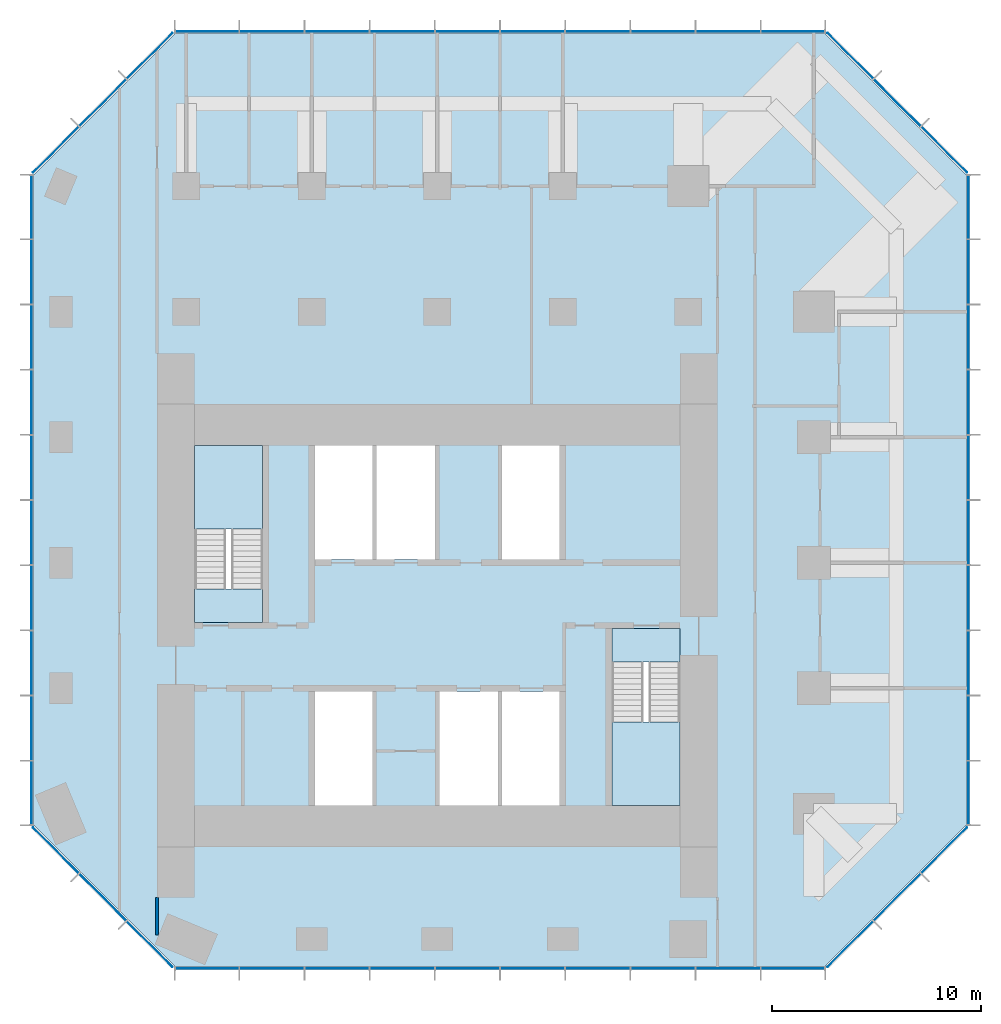
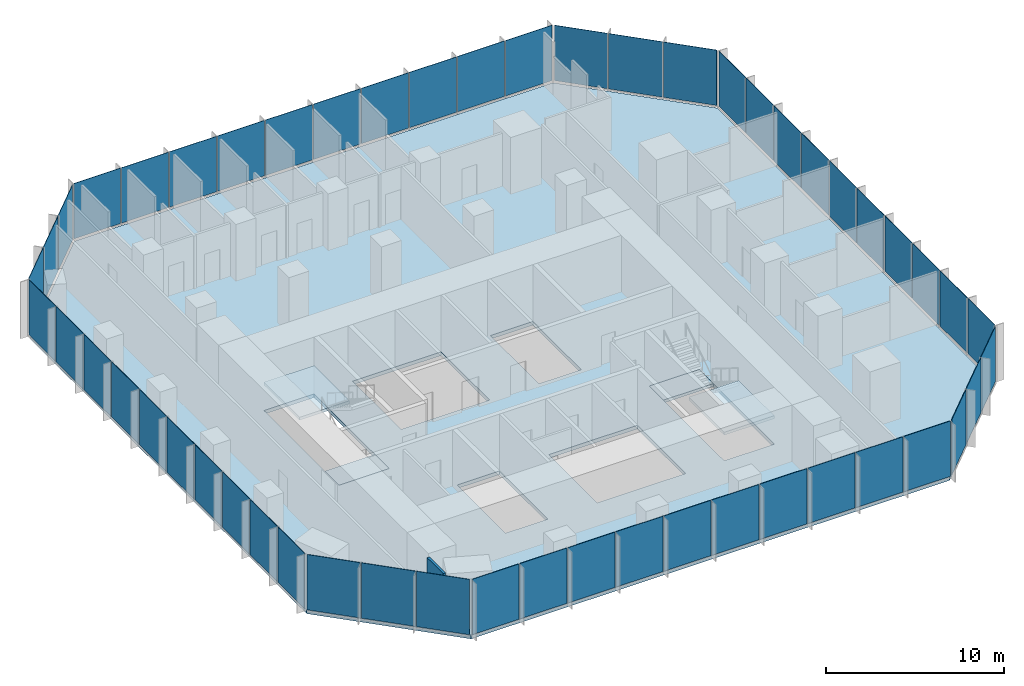
# One storey, part 7 of 11: 52 plates, 5 slabs, 1 wall, 10 elements without a shape of their own.
"""IFC4 building model written with IfcOpenShell, lengths in metres."""

from ifc_helpers import new_model, si_unit, direction, frame, frame_2d, origin, origin_2d, place, context, subcontext, project, spatial, polyline, rectangle, outline, extrude, material, layer, layer_set, type_object, element, aggregate, save


model = new_model("IFC4")

# Units and contexts
model_context = context("Model", 3, precision=1e-05, world=origin(), true_north=direction((0.0, 1.0)))
body_context = subcontext(model_context, "Body", "Model", "MODEL_VIEW")
ifc_project = project(units=[si_unit("LENGTHUNIT", "METRE"), si_unit("AREAUNIT", "SQUARE_METRE"), si_unit("VOLUMEUNIT", "CUBIC_METRE"), si_unit("PLANEANGLEUNIT", "RADIAN"), si_unit("MASSUNIT", "GRAM", prefix="KILO")], contexts=[model_context])

# Site, building, storey
site_placement = place(None, origin())
site = spatial("IfcSite", under=ifc_project, at=site_placement, CompositionType="ELEMENT")
building_placement = place(site_placement, origin())
building = spatial("IfcBuilding", under=site, at=building_placement, Name="Highveld Stack Headquarters", CompositionType="ELEMENT")
storey_placement = place(building_placement, frame((0.0, 0.0, 173.300048828125)))
storey = spatial("IfcBuildingStorey", under=building, at=storey_placement, Name="L42", CompositionType="ELEMENT", Elevation=173.300048828125)

# Curtain wall, plates
ifc_material_1 = material(Name="Aluminium bronze anodised", Category="aluminium")
ifc_layer_1 = layer(ifc_material_1, 0.199951171875)
ifc_layer_set_1 = layer_set([ifc_layer_1], Name="Aluminium bronze anodised")
curtain_wall_type_1 = type_object("IfcCurtainWallType", Name="CW1 TOWER UNITISED CURTAIN WALL", PredefinedType="NOTDEFINED", material=ifc_layer_set_1)
curtain_wall_1_placement = place(storey_placement, origin())
curtain_wall_1 = element("IfcCurtainWall", 1, at=curtain_wall_1_placement, inside=storey, type_object=curtain_wall_type_1, Name="Curtain wall CW1 L42 S", PredefinedType="NOTDEFINED")
ifc_material_2 = material(Name="Glass bronze tinted double glazed unit", Category="glass")
ifc_layer_2 = layer(ifc_material_2, 0.028076171875)
ifc_layer_set_2 = layer_set([ifc_layer_2], Name="Glass bronze tinted double glazed unit")
plate_type_1 = type_object("IfcPlateType", Name="CW1 PANEL BRONZE TINTED DOUBLE GLAZED UNIT", PredefinedType="CURTAIN_PANEL", material=ifc_layer_set_2)
plate_1_placement = place(storey_placement, frame((-5.005615234375, -13.39990234375, 0.10009765625), z_axis=(0.0, 0.0, 1.0), x_axis=(1.0, 0.0, 0.0)))
plate_1 = element("IfcPlate", 2, at=plate_1_placement, type_object=plate_type_1, Name="CW1 panel L42 1.1", PredefinedType="CURTAIN_PANEL", context=body_context, shape_type="SweptSolid", body=[
    extrude(rectangle(XDim=3.0185546875, YDim=0.028076171875, at=origin_2d()), origin(), (0.0, 0.0, 1.0), 3.800048828125),
])
plate_2_placement = place(storey_placement, frame((-1.906005859375, -13.39990234375, 0.10009765625), z_axis=(0.0, 0.0, 1.0), x_axis=(1.0, 0.0, 0.0)))
plate_2 = element("IfcPlate", 3, at=plate_2_placement, type_object=plate_type_1, Name="CW1 panel L42 2.1", PredefinedType="CURTAIN_PANEL", context=body_context, shape_type="SweptSolid", body=[
    extrude(rectangle(XDim=3.051025390625, YDim=0.028076171875, at=origin_2d()), origin(), (0.0, 0.0, 1.0), 3.800048828125),
])
plate_3_placement = place(storey_placement, frame((1.2099609375, -13.39990234375, 0.10009765625), z_axis=(0.0, 0.0, 1.0), x_axis=(1.0, 0.0, 0.0)))
plate_3 = element("IfcPlate", 4, at=plate_3_placement, type_object=plate_type_1, Name="CW1 panel L42 3.1", PredefinedType="CURTAIN_PANEL", context=body_context, shape_type="SweptSolid", body=[
    extrude(rectangle(XDim=3.051025390625, YDim=0.028076171875, at=origin_2d()), origin(), (0.0, 0.0, 1.0), 3.800048828125),
])
plate_4_placement = place(storey_placement, frame((4.325927734375, -13.39990234375, 0.10009765625), z_axis=(0.0, 0.0, 1.0), x_axis=(1.0, 0.0, 0.0)))
plate_4 = element("IfcPlate", 5, at=plate_4_placement, type_object=plate_type_1, Name="CW1 panel L42 4.1", PredefinedType="CURTAIN_PANEL", context=body_context, shape_type="SweptSolid", body=[
    extrude(rectangle(XDim=3.051025390625, YDim=0.028076171875, at=origin_2d()), origin(), (0.0, 0.0, 1.0), 3.800048828125),
])
plate_5_placement = place(storey_placement, frame((7.44189453125, -13.39990234375, 0.10009765625), z_axis=(0.0, 0.0, 1.0), x_axis=(1.0, 0.0, 0.0)))
plate_5 = element("IfcPlate", 6, at=plate_5_placement, type_object=plate_type_1, Name="CW1 panel L42 5.1", PredefinedType="CURTAIN_PANEL", context=body_context, shape_type="SweptSolid", body=[
    extrude(rectangle(XDim=3.051025390625, YDim=0.028076171875, at=origin_2d()), origin(), (0.0, 0.0, 1.0), 3.800048828125),
])
plate_6_placement = place(storey_placement, frame((10.55810546875, -13.39990234375, 0.10009765625), z_axis=(0.0, 0.0, 1.0), x_axis=(1.0, 0.0, 0.0)))
plate_6 = element("IfcPlate", 7, at=plate_6_placement, type_object=plate_type_1, Name="CW1 panel L42 6.1", PredefinedType="CURTAIN_PANEL", context=body_context, shape_type="SweptSolid", body=[
    extrude(rectangle(XDim=3.051025390625, YDim=0.028076171875, at=origin_2d()), origin(), (0.0, 0.0, 1.0), 3.800048828125),
])
plate_7_placement = place(storey_placement, frame((13.674072265625, -13.39990234375, 0.10009765625), z_axis=(0.0, 0.0, 1.0), x_axis=(1.0, 0.0, 0.0)))
plate_7 = element("IfcPlate", 8, at=plate_7_placement, type_object=plate_type_1, Name="CW1 panel L42 7.1", PredefinedType="CURTAIN_PANEL", context=body_context, shape_type="SweptSolid", body=[
    extrude(rectangle(XDim=3.051025390625, YDim=0.028076171875, at=origin_2d()), origin(), (0.0, 0.0, 1.0), 3.800048828125),
])
plate_8_placement = place(storey_placement, frame((16.789794921875, -13.39990234375, 0.10009765625), z_axis=(0.0, 0.0, 1.0), x_axis=(1.0, 0.0, 0.0)))
plate_8 = element("IfcPlate", 9, at=plate_8_placement, type_object=plate_type_1, Name="CW1 panel L42 8.1", PredefinedType="CURTAIN_PANEL", context=body_context, shape_type="SweptSolid", body=[
    extrude(rectangle(XDim=3.051025390625, YDim=0.028076171875, at=origin_2d()), origin(), (0.0, 0.0, 1.0), 3.800048828125),
])
plate_9_placement = place(storey_placement, frame((19.906005859375, -13.39990234375, 0.10009765625), z_axis=(0.0, 0.0, 1.0), x_axis=(1.0, 0.0, 0.0)))
plate_9 = element("IfcPlate", 10, at=plate_9_placement, type_object=plate_type_1, Name="CW1 panel L42 9.1", PredefinedType="CURTAIN_PANEL", context=body_context, shape_type="SweptSolid", body=[
    extrude(rectangle(XDim=3.051025390625, YDim=0.028076171875, at=origin_2d()), origin(), (0.0, 0.0, 1.0), 3.800048828125),
])
plate_10_placement = place(storey_placement, frame((23.005615234375, -13.39990234375, 0.10009765625), z_axis=(0.0, 0.0, 1.0), x_axis=(1.0, 0.0, 0.0)))
plate_10 = element("IfcPlate", 11, at=plate_10_placement, type_object=plate_type_1, Name="CW1 panel L42 10.1", PredefinedType="CURTAIN_PANEL", context=body_context, shape_type="SweptSolid", body=[
    extrude(rectangle(XDim=3.0185546875, YDim=0.028076171875, at=origin_2d()), origin(), (0.0, 0.0, 1.0), 3.800048828125),
])
aggregate(curtain_wall_1, [plate_1, plate_2, plate_3, plate_4, plate_5, plate_6, plate_7, plate_8, plate_9, plate_10])

curtain_wall_2_placement = place(storey_placement, origin())
curtain_wall_2 = element("IfcCurtainWall", 12, at=curtain_wall_2_placement, inside=storey, type_object=curtain_wall_type_1, Name="Curtain wall CW1 L42 E", PredefinedType="NOTDEFINED")
plate_11_placement = place(storey_placement, frame((31.39990234375, -5.005615234375, 0.10009765625), z_axis=(0.0, 0.0, 1.0), x_axis=(0.0, 1.0, 0.0)))
plate_11 = element("IfcPlate", 13, at=plate_11_placement, type_object=plate_type_1, Name="CW1 panel L42 1.1", PredefinedType="CURTAIN_PANEL", context=body_context, shape_type="SweptSolid", body=[
    extrude(rectangle(XDim=3.0185546875, YDim=0.028076171875, at=origin_2d()), origin(), (0.0, 0.0, 1.0), 3.800048828125),
])
plate_12_placement = place(storey_placement, frame((31.39990234375, -1.906005859375, 0.10009765625), z_axis=(0.0, 0.0, 1.0), x_axis=(0.0, 1.0, 0.0)))
plate_12 = element("IfcPlate", 14, at=plate_12_placement, type_object=plate_type_1, Name="CW1 panel L42 2.1", PredefinedType="CURTAIN_PANEL", context=body_context, shape_type="SweptSolid", body=[
    extrude(rectangle(XDim=3.051025390625, YDim=0.028076171875, at=origin_2d()), origin(), (0.0, 0.0, 1.0), 3.800048828125),
])
plate_13_placement = place(storey_placement, frame((31.39990234375, 1.2099609375, 0.10009765625), z_axis=(0.0, 0.0, 1.0), x_axis=(0.0, 1.0, 0.0)))
plate_13 = element("IfcPlate", 15, at=plate_13_placement, type_object=plate_type_1, Name="CW1 panel L42 3.1", PredefinedType="CURTAIN_PANEL", context=body_context, shape_type="SweptSolid", body=[
    extrude(rectangle(XDim=3.051025390625, YDim=0.028076171875, at=origin_2d()), origin(), (0.0, 0.0, 1.0), 3.800048828125),
])
plate_14_placement = place(storey_placement, frame((31.39990234375, 4.325927734375, 0.10009765625), z_axis=(0.0, 0.0, 1.0), x_axis=(0.0, 1.0, 0.0)))
plate_14 = element("IfcPlate", 16, at=plate_14_placement, type_object=plate_type_1, Name="CW1 panel L42 4.1", PredefinedType="CURTAIN_PANEL", context=body_context, shape_type="SweptSolid", body=[
    extrude(rectangle(XDim=3.051025390625, YDim=0.028076171875, at=origin_2d()), origin(), (0.0, 0.0, 1.0), 3.800048828125),
])
plate_15_placement = place(storey_placement, frame((31.39990234375, 7.44189453125, 0.10009765625), z_axis=(0.0, 0.0, 1.0), x_axis=(0.0, 1.0, 0.0)))
plate_15 = element("IfcPlate", 17, at=plate_15_placement, type_object=plate_type_1, Name="CW1 panel L42 5.1", PredefinedType="CURTAIN_PANEL", context=body_context, shape_type="SweptSolid", body=[
    extrude(rectangle(XDim=3.051025390625, YDim=0.028076171875, at=origin_2d()), origin(), (0.0, 0.0, 1.0), 3.800048828125),
])
plate_16_placement = place(storey_placement, frame((31.39990234375, 10.55810546875, 0.10009765625), z_axis=(0.0, 0.0, 1.0), x_axis=(0.0, 1.0, 0.0)))
plate_16 = element("IfcPlate", 18, at=plate_16_placement, type_object=plate_type_1, Name="CW1 panel L42 6.1", PredefinedType="CURTAIN_PANEL", context=body_context, shape_type="SweptSolid", body=[
    extrude(rectangle(XDim=3.051025390625, YDim=0.028076171875, at=origin_2d()), origin(), (0.0, 0.0, 1.0), 3.800048828125),
])
plate_17_placement = place(storey_placement, frame((31.39990234375, 13.674072265625, 0.10009765625), z_axis=(0.0, 0.0, 1.0), x_axis=(0.0, 1.0, 0.0)))
plate_17 = element("IfcPlate", 19, at=plate_17_placement, type_object=plate_type_1, Name="CW1 panel L42 7.1", PredefinedType="CURTAIN_PANEL", context=body_context, shape_type="SweptSolid", body=[
    extrude(rectangle(XDim=3.051025390625, YDim=0.028076171875, at=origin_2d()), origin(), (0.0, 0.0, 1.0), 3.800048828125),
])
plate_18_placement = place(storey_placement, frame((31.39990234375, 16.789794921875, 0.10009765625), z_axis=(0.0, 0.0, 1.0), x_axis=(0.0, 1.0, 0.0)))
plate_18 = element("IfcPlate", 20, at=plate_18_placement, type_object=plate_type_1, Name="CW1 panel L42 8.1", PredefinedType="CURTAIN_PANEL", context=body_context, shape_type="SweptSolid", body=[
    extrude(rectangle(XDim=3.051025390625, YDim=0.028076171875, at=origin_2d()), origin(), (0.0, 0.0, 1.0), 3.800048828125),
])
plate_19_placement = place(storey_placement, frame((31.39990234375, 19.906005859375, 0.10009765625), z_axis=(0.0, 0.0, 1.0), x_axis=(0.0, 1.0, 0.0)))
plate_19 = element("IfcPlate", 21, at=plate_19_placement, type_object=plate_type_1, Name="CW1 panel L42 9.1", PredefinedType="CURTAIN_PANEL", context=body_context, shape_type="SweptSolid", body=[
    extrude(rectangle(XDim=3.051025390625, YDim=0.028076171875, at=origin_2d()), origin(), (0.0, 0.0, 1.0), 3.800048828125),
])
plate_20_placement = place(storey_placement, frame((31.39990234375, 23.005615234375, 0.10009765625), z_axis=(0.0, 0.0, 1.0), x_axis=(0.0, 1.0, 0.0)))
plate_20 = element("IfcPlate", 22, at=plate_20_placement, type_object=plate_type_1, Name="CW1 panel L42 10.1", PredefinedType="CURTAIN_PANEL", context=body_context, shape_type="SweptSolid", body=[
    extrude(rectangle(XDim=3.0185546875, YDim=0.028076171875, at=origin_2d()), origin(), (0.0, 0.0, 1.0), 3.800048828125),
])
aggregate(curtain_wall_2, [plate_11, plate_12, plate_13, plate_14, plate_15, plate_16, plate_17, plate_18, plate_19, plate_20])

curtain_wall_3_placement = place(storey_placement, origin())
curtain_wall_3 = element("IfcCurtainWall", 23, at=curtain_wall_3_placement, inside=storey, type_object=curtain_wall_type_1, Name="Curtain wall CW1 L42 N", PredefinedType="NOTDEFINED")
plate_21_placement = place(storey_placement, frame((23.005615234375, 31.39990234375, 0.10009765625), z_axis=(0.0, 0.0, 1.0), x_axis=(-1.0, 0.0, 0.0)))
plate_21 = element("IfcPlate", 24, at=plate_21_placement, type_object=plate_type_1, Name="CW1 panel L42 1.1", PredefinedType="CURTAIN_PANEL", context=body_context, shape_type="SweptSolid", body=[
    extrude(rectangle(XDim=3.0185546875, YDim=0.028076171875, at=origin_2d()), origin(), (0.0, 0.0, 1.0), 3.800048828125),
])
plate_22_placement = place(storey_placement, frame((19.906005859375, 31.39990234375, 0.10009765625), z_axis=(0.0, 0.0, 1.0), x_axis=(-1.0, 0.0, 0.0)))
plate_22 = element("IfcPlate", 25, at=plate_22_placement, type_object=plate_type_1, Name="CW1 panel L42 2.1", PredefinedType="CURTAIN_PANEL", context=body_context, shape_type="SweptSolid", body=[
    extrude(rectangle(XDim=3.051025390625, YDim=0.028076171875, at=origin_2d()), origin(), (0.0, 0.0, 1.0), 3.800048828125),
])
plate_23_placement = place(storey_placement, frame((16.7900390625, 31.39990234375, 0.10009765625), z_axis=(0.0, 0.0, 1.0), x_axis=(-1.0, 0.0, 0.0)))
plate_23 = element("IfcPlate", 26, at=plate_23_placement, type_object=plate_type_1, Name="CW1 panel L42 3.1", PredefinedType="CURTAIN_PANEL", context=body_context, shape_type="SweptSolid", body=[
    extrude(rectangle(XDim=3.051025390625, YDim=0.028076171875, at=origin_2d()), origin(), (0.0, 0.0, 1.0), 3.800048828125),
])
plate_24_placement = place(storey_placement, frame((13.674072265625, 31.39990234375, 0.10009765625), z_axis=(0.0, 0.0, 1.0), x_axis=(-1.0, 0.0, 0.0)))
plate_24 = element("IfcPlate", 27, at=plate_24_placement, type_object=plate_type_1, Name="CW1 panel L42 4.1", PredefinedType="CURTAIN_PANEL", context=body_context, shape_type="SweptSolid", body=[
    extrude(rectangle(XDim=3.051025390625, YDim=0.028076171875, at=origin_2d()), origin(), (0.0, 0.0, 1.0), 3.800048828125),
])
plate_25_placement = place(storey_placement, frame((10.55810546875, 31.39990234375, 0.10009765625), z_axis=(0.0, 0.0, 1.0), x_axis=(-1.0, 0.0, 0.0)))
plate_25 = element("IfcPlate", 28, at=plate_25_placement, type_object=plate_type_1, Name="CW1 panel L42 5.1", PredefinedType="CURTAIN_PANEL", context=body_context, shape_type="SweptSolid", body=[
    extrude(rectangle(XDim=3.051025390625, YDim=0.028076171875, at=origin_2d()), origin(), (0.0, 0.0, 1.0), 3.800048828125),
])
plate_26_placement = place(storey_placement, frame((7.44189453125, 31.39990234375, 0.10009765625), z_axis=(0.0, 0.0, 1.0), x_axis=(-1.0, 0.0, 0.0)))
plate_26 = element("IfcPlate", 29, at=plate_26_placement, type_object=plate_type_1, Name="CW1 panel L42 6.1", PredefinedType="CURTAIN_PANEL", context=body_context, shape_type="SweptSolid", body=[
    extrude(rectangle(XDim=3.051025390625, YDim=0.028076171875, at=origin_2d()), origin(), (0.0, 0.0, 1.0), 3.800048828125),
])
plate_27_placement = place(storey_placement, frame((4.325927734375, 31.39990234375, 0.10009765625), z_axis=(0.0, 0.0, 1.0), x_axis=(-1.0, 0.0, 0.0)))
plate_27 = element("IfcPlate", 30, at=plate_27_placement, type_object=plate_type_1, Name="CW1 panel L42 7.1", PredefinedType="CURTAIN_PANEL", context=body_context, shape_type="SweptSolid", body=[
    extrude(rectangle(XDim=3.051025390625, YDim=0.028076171875, at=origin_2d()), origin(), (0.0, 0.0, 1.0), 3.800048828125),
])
plate_28_placement = place(storey_placement, frame((1.210205078125, 31.39990234375, 0.10009765625), z_axis=(0.0, 0.0, 1.0), x_axis=(-1.0, 0.0, 0.0)))
plate_28 = element("IfcPlate", 31, at=plate_28_placement, type_object=plate_type_1, Name="CW1 panel L42 8.1", PredefinedType="CURTAIN_PANEL", context=body_context, shape_type="SweptSolid", body=[
    extrude(rectangle(XDim=3.051025390625, YDim=0.028076171875, at=origin_2d()), origin(), (0.0, 0.0, 1.0), 3.800048828125),
])
plate_29_placement = place(storey_placement, frame((-1.906005859375, 31.39990234375, 0.10009765625), z_axis=(0.0, 0.0, 1.0), x_axis=(-1.0, 0.0, 0.0)))
plate_29 = element("IfcPlate", 32, at=plate_29_placement, type_object=plate_type_1, Name="CW1 panel L42 9.1", PredefinedType="CURTAIN_PANEL", context=body_context, shape_type="SweptSolid", body=[
    extrude(rectangle(XDim=3.051025390625, YDim=0.028076171875, at=origin_2d()), origin(), (0.0, 0.0, 1.0), 3.800048828125),
])
plate_30_placement = place(storey_placement, frame((-5.005615234375, 31.39990234375, 0.10009765625), z_axis=(0.0, 0.0, 1.0), x_axis=(-1.0, 0.0, 0.0)))
plate_30 = element("IfcPlate", 33, at=plate_30_placement, type_object=plate_type_1, Name="CW1 panel L42 10.1", PredefinedType="CURTAIN_PANEL", context=body_context, shape_type="SweptSolid", body=[
    extrude(rectangle(XDim=3.0185546875, YDim=0.028076171875, at=origin_2d()), origin(), (0.0, 0.0, 1.0), 3.800048828125),
])
aggregate(curtain_wall_3, [plate_21, plate_22, plate_23, plate_24, plate_25, plate_26, plate_27, plate_28, plate_29, plate_30])

curtain_wall_4_placement = place(storey_placement, origin())
curtain_wall_4 = element("IfcCurtainWall", 34, at=curtain_wall_4_placement, inside=storey, type_object=curtain_wall_type_1, Name="Curtain wall CW1 L42 W", PredefinedType="NOTDEFINED")
plate_31_placement = place(storey_placement, frame((-13.39990234375, 23.005615234375, 0.10009765625), z_axis=(0.0, 0.0, 1.0), x_axis=(0.0, -1.0, 0.0)))
plate_31 = element("IfcPlate", 35, at=plate_31_placement, type_object=plate_type_1, Name="CW1 panel L42 1.1", PredefinedType="CURTAIN_PANEL", context=body_context, shape_type="SweptSolid", body=[
    extrude(rectangle(XDim=3.0185546875, YDim=0.028076171875, at=origin_2d()), origin(), (0.0, 0.0, 1.0), 3.800048828125),
])
plate_32_placement = place(storey_placement, frame((-13.39990234375, 19.906005859375, 0.10009765625), z_axis=(0.0, 0.0, 1.0), x_axis=(0.0, -1.0, 0.0)))
plate_32 = element("IfcPlate", 36, at=plate_32_placement, type_object=plate_type_1, Name="CW1 panel L42 2.1", PredefinedType="CURTAIN_PANEL", context=body_context, shape_type="SweptSolid", body=[
    extrude(rectangle(XDim=3.051025390625, YDim=0.028076171875, at=origin_2d()), origin(), (0.0, 0.0, 1.0), 3.800048828125),
])
plate_33_placement = place(storey_placement, frame((-13.39990234375, 16.7900390625, 0.10009765625), z_axis=(0.0, 0.0, 1.0), x_axis=(0.0, -1.0, 0.0)))
plate_33 = element("IfcPlate", 37, at=plate_33_placement, type_object=plate_type_1, Name="CW1 panel L42 3.1", PredefinedType="CURTAIN_PANEL", context=body_context, shape_type="SweptSolid", body=[
    extrude(rectangle(XDim=3.051025390625, YDim=0.028076171875, at=origin_2d()), origin(), (0.0, 0.0, 1.0), 3.800048828125),
])
plate_34_placement = place(storey_placement, frame((-13.39990234375, 13.674072265625, 0.10009765625), z_axis=(0.0, 0.0, 1.0), x_axis=(0.0, -1.0, 0.0)))
plate_34 = element("IfcPlate", 38, at=plate_34_placement, type_object=plate_type_1, Name="CW1 panel L42 4.1", PredefinedType="CURTAIN_PANEL", context=body_context, shape_type="SweptSolid", body=[
    extrude(rectangle(XDim=3.051025390625, YDim=0.028076171875, at=origin_2d()), origin(), (0.0, 0.0, 1.0), 3.800048828125),
])
plate_35_placement = place(storey_placement, frame((-13.39990234375, 10.55810546875, 0.10009765625), z_axis=(0.0, 0.0, 1.0), x_axis=(0.0, -1.0, 0.0)))
plate_35 = element("IfcPlate", 39, at=plate_35_placement, type_object=plate_type_1, Name="CW1 panel L42 5.1", PredefinedType="CURTAIN_PANEL", context=body_context, shape_type="SweptSolid", body=[
    extrude(rectangle(XDim=3.051025390625, YDim=0.028076171875, at=origin_2d()), origin(), (0.0, 0.0, 1.0), 3.800048828125),
])
plate_36_placement = place(storey_placement, frame((-13.39990234375, 7.44189453125, 0.10009765625), z_axis=(0.0, 0.0, 1.0), x_axis=(0.0, -1.0, 0.0)))
plate_36 = element("IfcPlate", 40, at=plate_36_placement, type_object=plate_type_1, Name="CW1 panel L42 6.1", PredefinedType="CURTAIN_PANEL", context=body_context, shape_type="SweptSolid", body=[
    extrude(rectangle(XDim=3.051025390625, YDim=0.028076171875, at=origin_2d()), origin(), (0.0, 0.0, 1.0), 3.800048828125),
])
plate_37_placement = place(storey_placement, frame((-13.39990234375, 4.325927734375, 0.10009765625), z_axis=(0.0, 0.0, 1.0), x_axis=(0.0, -1.0, 0.0)))
plate_37 = element("IfcPlate", 41, at=plate_37_placement, type_object=plate_type_1, Name="CW1 panel L42 7.1", PredefinedType="CURTAIN_PANEL", context=body_context, shape_type="SweptSolid", body=[
    extrude(rectangle(XDim=3.051025390625, YDim=0.028076171875, at=origin_2d()), origin(), (0.0, 0.0, 1.0), 3.800048828125),
])
plate_38_placement = place(storey_placement, frame((-13.39990234375, 1.210205078125, 0.10009765625), z_axis=(0.0, 0.0, 1.0), x_axis=(0.0, -1.0, 0.0)))
plate_38 = element("IfcPlate", 42, at=plate_38_placement, type_object=plate_type_1, Name="CW1 panel L42 8.1", PredefinedType="CURTAIN_PANEL", context=body_context, shape_type="SweptSolid", body=[
    extrude(rectangle(XDim=3.051025390625, YDim=0.028076171875, at=origin_2d()), origin(), (0.0, 0.0, 1.0), 3.800048828125),
])
plate_39_placement = place(storey_placement, frame((-13.39990234375, -1.906005859375, 0.10009765625), z_axis=(0.0, 0.0, 1.0), x_axis=(0.0, -1.0, 0.0)))
plate_39 = element("IfcPlate", 43, at=plate_39_placement, type_object=plate_type_1, Name="CW1 panel L42 9.1", PredefinedType="CURTAIN_PANEL", context=body_context, shape_type="SweptSolid", body=[
    extrude(rectangle(XDim=3.051025390625, YDim=0.028076171875, at=origin_2d()), origin(), (0.0, 0.0, 1.0), 3.800048828125),
])
plate_40_placement = place(storey_placement, frame((-13.39990234375, -5.005615234375, 0.10009765625), z_axis=(0.0, 0.0, 1.0), x_axis=(0.0, -1.0, 0.0)))
plate_40 = element("IfcPlate", 44, at=plate_40_placement, type_object=plate_type_1, Name="CW1 panel L42 10.1", PredefinedType="CURTAIN_PANEL", context=body_context, shape_type="SweptSolid", body=[
    extrude(rectangle(XDim=3.0185546875, YDim=0.028076171875, at=origin_2d()), origin(), (0.0, 0.0, 1.0), 3.800048828125),
])
aggregate(curtain_wall_4, [plate_31, plate_32, plate_33, plate_34, plate_35, plate_36, plate_37, plate_38, plate_39, plate_40])

ifc_material_3 = material(Name="Aluminium bronze anodised", Category="aluminium")
ifc_layer_3 = layer(ifc_material_3, 0.199951171875)
ifc_layer_set_3 = layer_set([ifc_layer_3], Name="Aluminium bronze anodised")
curtain_wall_type_2 = type_object("IfcCurtainWallType", Name="CW2 TOWER CHAMFER UNITISED CURTAIN WALL", PredefinedType="NOTDEFINED", material=ifc_layer_set_3)
curtain_wall_5_placement = place(storey_placement, origin())
curtain_wall_5 = element("IfcCurtainWall", 45, at=curtain_wall_5_placement, inside=storey, type_object=curtain_wall_type_2, Name="Curtain wall CW2 L42 SE", PredefinedType="NOTDEFINED")
ifc_material_4 = material(Name="Glass bronze tinted double glazed unit", Category="glass")
ifc_layer_4 = layer(ifc_material_4, 0.028076171875)
ifc_layer_set_4 = layer_set([ifc_layer_4], Name="Glass bronze tinted double glazed unit")
plate_type_2 = type_object("IfcPlateType", Name="CW2 PANEL BRONZE TINTED DOUBLE GLAZED UNIT", PredefinedType="CURTAIN_PANEL", material=ifc_layer_set_4)
plate_41_placement = place(storey_placement, frame((25.740478515625, -12.239501953125, 0.10009765625), z_axis=(0.0, 0.0, 1.0), x_axis=(0.707106781187, 0.707106781187, 0.0)))
plate_41 = element("IfcPlate", 46, at=plate_41_placement, type_object=plate_type_2, Name="CW2 panel L42 1.1", PredefinedType="CURTAIN_PANEL", context=body_context, shape_type="SweptSolid", body=[
    extrude(rectangle(XDim=3.08251953125, YDim=0.028076171875, at=origin_2d()), origin(), (0.0, 0.0, 1.0), 3.800048828125),
])
plate_42_placement = place(storey_placement, frame((27.989990234375, -9.989990234375, 0.10009765625), z_axis=(0.0, 0.0, 1.0), x_axis=(0.707106781187, 0.707106781187, 0.0)))
plate_42 = element("IfcPlate", 47, at=plate_42_placement, type_object=plate_type_2, Name="CW2 panel L42 2.1", PredefinedType="CURTAIN_PANEL", context=body_context, shape_type="SweptSolid", body=[
    extrude(rectangle(XDim=3.14990234375, YDim=0.028076171875, at=origin_2d()), origin(), (0.0, 0.0, 1.0), 3.800048828125),
])
plate_43_placement = place(storey_placement, frame((30.239501953125, -7.740478515625, 0.10009765625), z_axis=(0.0, 0.0, 1.0), x_axis=(0.707106781187, 0.707106781187, 0.0)))
plate_43 = element("IfcPlate", 48, at=plate_43_placement, type_object=plate_type_2, Name="CW2 panel L42 3.1", PredefinedType="CURTAIN_PANEL", context=body_context, shape_type="SweptSolid", body=[
    extrude(rectangle(XDim=3.08251953125, YDim=0.028076171875, at=origin_2d()), origin(), (0.0, 0.0, 1.0), 3.800048828125),
])
aggregate(curtain_wall_5, [plate_41, plate_42, plate_43])

curtain_wall_6_placement = place(storey_placement, origin())
curtain_wall_6 = element("IfcCurtainWall", 49, at=curtain_wall_6_placement, inside=storey, type_object=curtain_wall_type_2, Name="Curtain wall CW2 L42 NE", PredefinedType="NOTDEFINED")
plate_44_placement = place(storey_placement, frame((30.239501953125, 25.740478515625, 0.10009765625), z_axis=(0.0, 0.0, 1.0), x_axis=(-0.707106781187, 0.707106781187, 0.0)))
plate_44 = element("IfcPlate", 50, at=plate_44_placement, type_object=plate_type_2, Name="CW2 panel L42 1.1", PredefinedType="CURTAIN_PANEL", context=body_context, shape_type="SweptSolid", body=[
    extrude(rectangle(XDim=3.08251953125, YDim=0.028076171875, at=origin_2d()), origin(), (0.0, 0.0, 1.0), 3.800048828125),
])
plate_45_placement = place(storey_placement, frame((27.989990234375, 27.989990234375, 0.10009765625), z_axis=(0.0, 0.0, 1.0), x_axis=(-0.707106781187, 0.707106781187, 0.0)))
plate_45 = element("IfcPlate", 51, at=plate_45_placement, type_object=plate_type_2, Name="CW2 panel L42 2.1", PredefinedType="CURTAIN_PANEL", context=body_context, shape_type="SweptSolid", body=[
    extrude(rectangle(XDim=3.14990234375, YDim=0.028076171875, at=origin_2d()), origin(), (0.0, 0.0, 1.0), 3.800048828125),
])
plate_46_placement = place(storey_placement, frame((25.740478515625, 30.239501953125, 0.10009765625), z_axis=(0.0, 0.0, 1.0), x_axis=(-0.707106781187, 0.707106781187, 0.0)))
plate_46 = element("IfcPlate", 52, at=plate_46_placement, type_object=plate_type_2, Name="CW2 panel L42 3.1", PredefinedType="CURTAIN_PANEL", context=body_context, shape_type="SweptSolid", body=[
    extrude(rectangle(XDim=3.08251953125, YDim=0.028076171875, at=origin_2d()), origin(), (0.0, 0.0, 1.0), 3.800048828125),
])
aggregate(curtain_wall_6, [plate_44, plate_45, plate_46])

curtain_wall_7_placement = place(storey_placement, origin())
curtain_wall_7 = element("IfcCurtainWall", 53, at=curtain_wall_7_placement, inside=storey, type_object=curtain_wall_type_2, Name="Curtain wall CW2 L42 NW", PredefinedType="NOTDEFINED")
plate_47_placement = place(storey_placement, frame((-7.740478515625, 30.239501953125, 0.10009765625), z_axis=(0.0, 0.0, 1.0), x_axis=(-0.707106781187, -0.707106781187, 0.0)))
plate_47 = element("IfcPlate", 54, at=plate_47_placement, type_object=plate_type_2, Name="CW2 panel L42 1.1", PredefinedType="CURTAIN_PANEL", context=body_context, shape_type="SweptSolid", body=[
    extrude(rectangle(XDim=3.08251953125, YDim=0.028076171875, at=origin_2d()), origin(), (0.0, 0.0, 1.0), 3.800048828125),
])
plate_48_placement = place(storey_placement, frame((-9.989990234375, 27.989990234375, 0.10009765625), z_axis=(0.0, 0.0, 1.0), x_axis=(-0.707106781187, -0.707106781187, 0.0)))
plate_48 = element("IfcPlate", 55, at=plate_48_placement, type_object=plate_type_2, Name="CW2 panel L42 2.1", PredefinedType="CURTAIN_PANEL", context=body_context, shape_type="SweptSolid", body=[
    extrude(rectangle(XDim=3.14990234375, YDim=0.028076171875, at=origin_2d()), origin(), (0.0, 0.0, 1.0), 3.800048828125),
])
plate_49_placement = place(storey_placement, frame((-12.239501953125, 25.740478515625, 0.10009765625), z_axis=(0.0, 0.0, 1.0), x_axis=(-0.707106781187, -0.707106781187, 0.0)))
plate_49 = element("IfcPlate", 56, at=plate_49_placement, type_object=plate_type_2, Name="CW2 panel L42 3.1", PredefinedType="CURTAIN_PANEL", context=body_context, shape_type="SweptSolid", body=[
    extrude(rectangle(XDim=3.08251953125, YDim=0.028076171875, at=origin_2d()), origin(), (0.0, 0.0, 1.0), 3.800048828125),
])
aggregate(curtain_wall_7, [plate_47, plate_48, plate_49])

curtain_wall_8_placement = place(storey_placement, origin())
curtain_wall_8 = element("IfcCurtainWall", 57, at=curtain_wall_8_placement, inside=storey, type_object=curtain_wall_type_2, Name="Curtain wall CW2 L42 SW", PredefinedType="NOTDEFINED")
plate_50_placement = place(storey_placement, frame((-12.239501953125, -7.740478515625, 0.10009765625), z_axis=(0.0, 0.0, 1.0), x_axis=(0.707106781187, -0.707106781187, 0.0)))
plate_50 = element("IfcPlate", 58, at=plate_50_placement, type_object=plate_type_2, Name="CW2 panel L42 1.1", PredefinedType="CURTAIN_PANEL", context=body_context, shape_type="SweptSolid", body=[
    extrude(rectangle(XDim=3.08251953125, YDim=0.028076171875, at=origin_2d()), origin(), (0.0, 0.0, 1.0), 3.800048828125),
])
plate_51_placement = place(storey_placement, frame((-9.989990234375, -9.989990234375, 0.10009765625), z_axis=(0.0, 0.0, 1.0), x_axis=(0.707106781187, -0.707106781187, 0.0)))
plate_51 = element("IfcPlate", 59, at=plate_51_placement, type_object=plate_type_2, Name="CW2 panel L42 2.1", PredefinedType="CURTAIN_PANEL", context=body_context, shape_type="SweptSolid", body=[
    extrude(rectangle(XDim=3.14990234375, YDim=0.028076171875, at=origin_2d()), origin(), (0.0, 0.0, 1.0), 3.800048828125),
])
plate_52_placement = place(storey_placement, frame((-7.740478515625, -12.239501953125, 0.10009765625), z_axis=(0.0, 0.0, 1.0), x_axis=(0.707106781187, -0.707106781187, 0.0)))
plate_52 = element("IfcPlate", 60, at=plate_52_placement, type_object=plate_type_2, Name="CW2 panel L42 3.1", PredefinedType="CURTAIN_PANEL", context=body_context, shape_type="SweptSolid", body=[
    extrude(rectangle(XDim=3.08251953125, YDim=0.028076171875, at=origin_2d()), origin(), (0.0, 0.0, 1.0), 3.800048828125),
])
aggregate(curtain_wall_8, [plate_50, plate_51, plate_52])

# Slab
ifc_material_5 = material(Name="Concrete C60/75", Category="concrete")
ifc_layer_5 = layer(ifc_material_5, 0.25)
ifc_layer_set_5 = layer_set([ifc_layer_5], Name="Concrete C60/75")
slab_type_1 = type_object("IfcSlabType", Name="PT FLAT SLAB 250", PredefinedType="FLOOR", material=ifc_layer_set_5)
slab_1_placement = place(storey_placement, frame((0.0, 0.0, -0.25)))
element("IfcSlab", 61, at=slab_1_placement, inside=storey, type_object=slab_type_1, Name="Floor slab L42", PredefinedType="FLOOR", context=body_context, shape_type="SweptSolid", body=[
    extrude(outline(polyline([(-6.53857421875, -13.300048828125), (24.53857421875, -13.300048828125), (31.300048828125, -6.53857421875), (31.300048828125, 24.53857421875), (24.53857421875, 31.300048828125), (-6.53857421875, 31.300048828125), (-13.300048828125, 24.53857421875), (-13.300048828125, -6.53857421875), (-6.53857421875, -13.300048828125)]), holes=[polyline([(0.14990234375, 6.14990234375), (5.89990234375, 6.14990234375), (5.89990234375, 11.60009765625), (0.14990234375, 11.60009765625), (0.14990234375, 6.14990234375)]), polyline([(9.10009765625, 6.14990234375), (11.85009765625, 6.14990234375), (11.85009765625, 11.60009765625), (9.10009765625, 11.60009765625), (9.10009765625, 6.14990234375)]), polyline([(6.10009765625, -5.60009765625), (11.85009765625, -5.60009765625), (11.85009765625, -0.14990234375), (6.10009765625, -0.14990234375), (6.10009765625, -5.60009765625)]), polyline([(0.14990234375, -5.60009765625), (2.89990234375, -5.60009765625), (2.89990234375, -0.14990234375), (0.14990234375, -0.14990234375), (0.14990234375, -5.60009765625)]), polyline([(-5.60009765625, 3.14990234375), (-2.35009765625, 3.14990234375), (-2.35009765625, 11.60009765625), (-5.60009765625, 11.60009765625), (-5.60009765625, 3.14990234375)]), polyline([(14.35009765625, -5.60009765625), (17.60009765625, -5.60009765625), (17.60009765625, 2.85009765625), (14.35009765625, 2.85009765625), (14.35009765625, -5.60009765625)])]), origin(), (0.0, 0.0, 1.0), 0.25),
])

# Stair, slabs
ifc_material_6 = material(Name="Concrete C40/50, precast", Category="concrete")
stair_type_1 = type_object("IfcStairType", Name="STAIR S1 HALF TURN 1500", PredefinedType="HALF_TURN_STAIR", material=ifc_material_6)
stair_1_placement = place(storey_placement, origin())
stair_1 = element("IfcStair", 62, at=stair_1_placement, inside=storey, type_object=stair_type_1, Name="Stair S1 L42", PredefinedType="HALF_TURN_STAIR")
ifc_material_7 = material(Name="Concrete C40/50, precast", Category="concrete")
ifc_layer_6 = layer(ifc_material_7, 0.199951171875)
ifc_layer_set_6 = layer_set([ifc_layer_6], Name="Concrete C40/50, precast")
slab_type_2 = type_object("IfcSlabType", Name="STAIR LANDING 200", PredefinedType="LANDING", material=ifc_layer_set_6)
slab_2_placement = place(storey_placement, frame((0.0, 0.0, 1.75)))
slab_2 = element("IfcSlab", 63, at=slab_2_placement, type_object=slab_type_2, Name="S1 landing 1", PredefinedType="LANDING", context=body_context, shape_type="SweptSolid", body=[
    extrude(outline(polyline([(-5.60009765625, 7.610107421875), (-2.35009765625, 7.610107421875), (-2.35009765625, 11.60009765625), (-5.60009765625, 11.60009765625), (-5.60009765625, 7.610107421875)])), origin(), (0.0, 0.0, 1.0), 0.199951171875),
])
slab_3_placement = place(storey_placement, frame((0.0, 0.0, -0.199951171875)))
slab_3 = element("IfcSlab", 64, at=slab_3_placement, type_object=slab_type_2, Name="S1 landing 2", PredefinedType="LANDING", context=body_context, shape_type="SweptSolid", body=[
    extrude(outline(polyline([(-5.60009765625, 3.14990234375), (-2.35009765625, 3.14990234375), (-2.35009765625, 4.75), (-5.60009765625, 4.75), (-5.60009765625, 3.14990234375)])), origin(), (0.0, 0.0, 1.0), 0.199951171875),
])
aggregate(stair_1, [slab_2, slab_3])

ifc_material_8 = material(Name="Concrete C40/50, precast", Category="concrete")
stair_type_2 = type_object("IfcStairType", Name="STAIR S2 HALF TURN 1500", PredefinedType="HALF_TURN_STAIR", material=ifc_material_8)
stair_2_placement = place(storey_placement, origin())
stair_2 = element("IfcStair", 65, at=stair_2_placement, inside=storey, type_object=stair_type_2, Name="Stair S2 L42", PredefinedType="HALF_TURN_STAIR")
slab_4_placement = place(storey_placement, frame((0.0, 0.0, 1.75)))
slab_4 = element("IfcSlab", 66, at=slab_4_placement, type_object=slab_type_2, Name="S2 landing 1", PredefinedType="LANDING", context=body_context, shape_type="SweptSolid", body=[
    extrude(outline(polyline([(14.35009765625, -5.60009765625), (17.60009765625, -5.60009765625), (17.60009765625, -1.610107421875), (14.35009765625, -1.610107421875), (14.35009765625, -5.60009765625)])), origin(), (0.0, 0.0, 1.0), 0.199951171875),
])
slab_5_placement = place(storey_placement, frame((0.0, 0.0, -0.199951171875)))
slab_5 = element("IfcSlab", 67, at=slab_5_placement, type_object=slab_type_2, Name="S2 landing 2", PredefinedType="LANDING", context=body_context, shape_type="SweptSolid", body=[
    extrude(outline(polyline([(14.35009765625, 1.25), (17.60009765625, 1.25), (17.60009765625, 2.85009765625), (14.35009765625, 2.85009765625), (14.35009765625, 1.25)])), origin(), (0.0, 0.0, 1.0), 0.199951171875),
])
aggregate(stair_2, [slab_4, slab_5])

# Wall
ifc_material_9 = material(Name="Gypsum plasterboard on steel studs", Category="steel")
ifc_layer_7 = layer(ifc_material_9, 0.14990234375)
ifc_layer_set_7 = layer_set([ifc_layer_7], Name="Gypsum plasterboard on steel studs")
wall_type = type_object("IfcWallType", Name="PARTITION 150 PLASTERBOARD", PredefinedType="PARTITIONING", material=ifc_layer_set_7)
wall_placement = place(storey_placement, frame((-7.39990234375, -11.8017578125, 0.0), z_axis=(0.0, 0.0, 1.0), x_axis=(0.0, 1.0, 0.0)))
element("IfcWall", 68, at=wall_placement, inside=storey, type_object=wall_type, Name="Partition office neighbourhood L42", PredefinedType="PARTITIONING", context=body_context, shape_type="SweptSolid", body=[
    extrude(rectangle(XDim=1.8017578125, YDim=0.14990234375, at=frame_2d((0.90087890625, 0.0))), origin(), (0.0, 0.0, 1.0), 3.64990234375),
])

save(model, "model.ifc")
